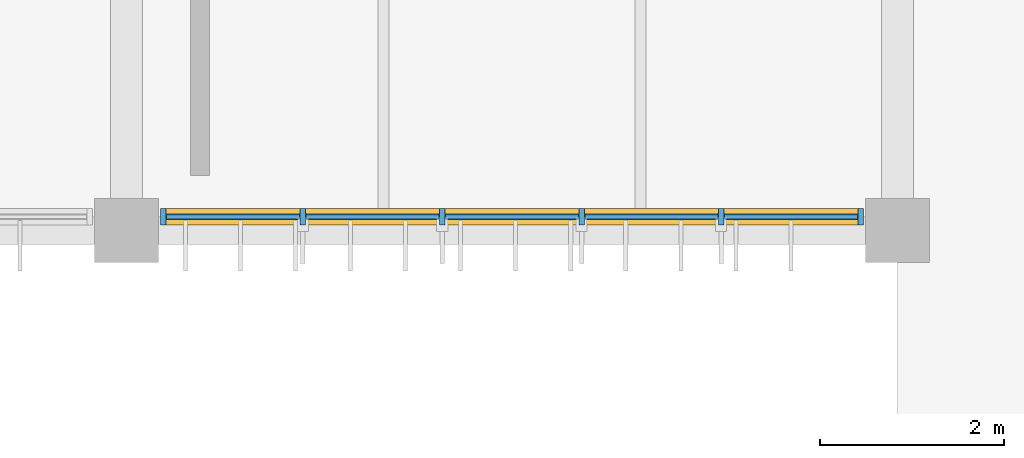
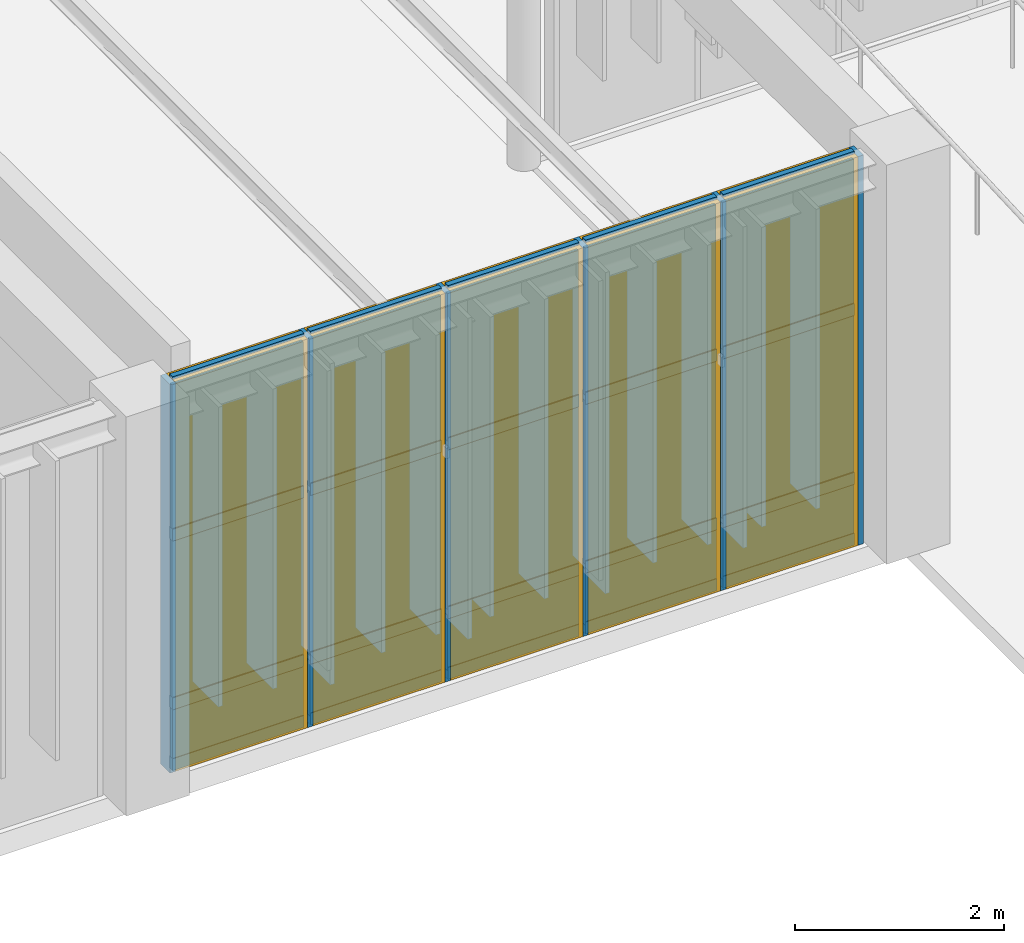
# One storey, part 64 of 122: 26 members, 15 plates, 1 curtain wall.
"""IFC4 building model written with IfcOpenShell, lengths in metres."""

import ifcopenshell
import ifcopenshell.guid

model = None  # the IFC model being written
_history = None  # IfcOwnerHistory: only IFC2X3 demands one
_inside = {}  # id of a spatial element -> (the spatial element, [elements in it])
_under = {}  # id of a project, library or spatial element -> (it, [spatial elements below it])
_declared = {}  # id of a project -> (the project, [libraries it declares])
_typed = {}  # id of a type object -> (the type object, [elements of that type])
_made_of = {}  # id of a material, layer set ... -> (it, [elements and type objects made of it])


def new_model(schema):
    """Start an empty IFC model of exactly this schema.

    Asked for "IFC4X3", IfcOpenShell would pick the latest addendum, in which some entities
    have other attributes; the version numbers below select the first issue.
    IFC2X3 requires an IfcOwnerHistory on every rooted entity: one is made here for all.
    """
    global model, _history
    if schema == "IFC4X3":
        model = ifcopenshell.file(schema_version=(4, 3, 0, 0))
    else:
        model = ifcopenshell.file(schema=schema)
    _inside.clear()
    _under.clear()
    _declared.clear()
    _typed.clear()
    _made_of.clear()
    _history = None
    if model.schema == "IFC2X3":
        org = make("IfcOrganization", Name="unknown")
        user = make(
            "IfcPersonAndOrganization",
            ThePerson=make("IfcPerson", FamilyName="unknown"),
            TheOrganization=org,
        )
        app = make(
            "IfcApplication",
            ApplicationDeveloper=org,
            Version="unknown",
            ApplicationFullName="unknown",
            ApplicationIdentifier="unknown",
        )
        _history = make(
            "IfcOwnerHistory",
            OwningUser=user,
            OwningApplication=app,
            ChangeAction="ADDED",
            CreationDate=0,
        )
    return model


def make(cls, **values):
    """One entity of the class cls with the attributes given. An attribute that is None is left unset."""
    return model.create_entity(
        cls, **{name: value for name, value in values.items() if value is not None}
    )


def rooted(cls, **values):
    """An entity with a GlobalId (a new one), such as an element, a storey or a relation."""
    return make(cls, GlobalId=ifcopenshell.guid.new(), OwnerHistory=_history, **values)


def si_unit(unit_type, name, prefix=None):
    """IfcSIUnit, for example si_unit("LENGTHUNIT", "METRE", prefix="MILLI")."""
    return make("IfcSIUnit", UnitType=unit_type, Prefix=prefix, Name=name)


def assignment(units):
    """IfcUnitAssignment: the units of a project."""
    return None if units is None else make("IfcUnitAssignment", Units=units)


def point(xyz):
    """IfcCartesianPoint."""
    return None if xyz is None else make("IfcCartesianPoint", Coordinates=xyz)


def direction(xyz):
    """IfcDirection."""
    return None if xyz is None else make("IfcDirection", DirectionRatios=xyz)


def frame(location, z_axis=None, x_axis=None):
    """IfcAxis2Placement3D, a coordinate frame: its origin and axes. An axis left out is left unset."""
    return make(
        "IfcAxis2Placement3D",
        Location=point(location),
        Axis=direction(z_axis),
        RefDirection=direction(x_axis),
    )


def frame_2d(location, x_axis=None):
    """IfcAxis2Placement2D, a coordinate frame in the plane: its origin and x axis."""
    return make(
        "IfcAxis2Placement2D", Location=point(location), RefDirection=direction(x_axis)
    )


def origin():
    """The frame at (0, 0, 0) with its axes left unset."""
    return frame((0.0, 0.0, 0.0))


def origin_2d():
    """The frame at (0, 0) in the plane with its x axis left unset."""
    return frame_2d((0.0, 0.0))


def place(relative_to, where):
    """IfcLocalPlacement: puts the frame where relative to a parent placement (None: the world)."""
    return make(
        "IfcLocalPlacement", PlacementRelTo=relative_to, RelativePlacement=where
    )


def context(
    kind, dimensions, precision=None, world=None, true_north=None, identifier=None
):
    """IfcGeometricRepresentationContext, for example the 3D "Model" context."""
    return make(
        "IfcGeometricRepresentationContext",
        ContextIdentifier=identifier,
        ContextType=kind,
        CoordinateSpaceDimension=dimensions,
        Precision=precision,
        WorldCoordinateSystem=world,
        TrueNorth=true_north,
    )


def subcontext(parent, identifier, kind, view, scale=None):
    """IfcGeometricRepresentationSubContext, for example "Body" below "Model"."""
    return make(
        "IfcGeometricRepresentationSubContext",
        ContextIdentifier=identifier,
        ContextType=kind,
        ParentContext=parent,
        TargetScale=scale,
        TargetView=view,
    )


def project(units=None, contexts=None):
    """IfcProject with its units and contexts."""
    return rooted(
        "IfcProject",
        Name="project",
        RepresentationContexts=contexts,
        UnitsInContext=assignment(units),
    )


def spatial(cls, under=None, at=None, **own):
    """A site, building, storey or space (cls), placed at a placement, below another one or the project."""
    s = rooted(cls, ObjectPlacement=at, **own)
    if under is not None:
        _under.setdefault(under.id(), (under, []))[1].append(s)
    return s


def profile(cls, at=None, kind="AREA", **sizes):
    """A parametric profile (cls). Its sizes go by their IFC names, for example OverallWidth=200.0."""
    return make(cls, ProfileType=kind, Position=at, **sizes)


def rectangle(**sizes):
    """IfcRectangleProfileDef."""
    return profile("IfcRectangleProfileDef", **sizes)


def extrude(swept, where, along, depth):
    """IfcExtrudedAreaSolid: the profile swept, set in the frame where, extruded along a direction by depth."""
    return make(
        "IfcExtrudedAreaSolid",
        SweptArea=swept,
        Position=where,
        ExtrudedDirection=direction(along),
        Depth=depth,
    )


def shape(context_of_items, identifier, shape_type, items):
    """IfcShapeRepresentation: the items that make up one representation, for example the "Body"."""
    return make(
        "IfcShapeRepresentation",
        ContextOfItems=context_of_items,
        RepresentationIdentifier=identifier,
        RepresentationType=shape_type,
        Items=items,
    )


def material(Name=None, Category=None):
    """IfcMaterial."""
    return make("IfcMaterial", Name=Name, Category=Category)


def layer(
    of_material, thickness, ventilated=None, Name=None, Category=None, Priority=None
):
    """IfcMaterialLayer: one layer of a wall or slab, of a material (None: an air gap)."""
    return make(
        "IfcMaterialLayer",
        Material=of_material,
        LayerThickness=thickness,
        IsVentilated=ventilated,
        Name=Name,
        Category=Category,
        Priority=Priority,
    )


def layer_set(layers, Name=None):
    """IfcMaterialLayerSet."""
    return make("IfcMaterialLayerSet", MaterialLayers=layers, LayerSetName=Name)


def material_profile(
    of_material, cross_section, Name=None, Category=None, Priority=None
):
    """IfcMaterialProfile: a cross section and its material."""
    return make(
        "IfcMaterialProfile",
        Name=Name,
        Material=of_material,
        Profile=cross_section,
        Priority=Priority,
        Category=Category,
    )


def profile_set(profiles, Name=None, composite=None):
    """IfcMaterialProfileSet."""
    return make(
        "IfcMaterialProfileSet",
        Name=Name,
        MaterialProfiles=profiles,
        CompositeProfile=composite,
    )


def made_of(thing, what):
    """Note that an element or type object is made of a material, layer set ...; save() writes the relation."""
    if what is not None:
        _made_of.setdefault(what.id(), (what, []))[1].append(thing)
    return thing


def type_object(cls, material=None, **own):
    """A type object (cls), such as IfcWallType, which elements share."""
    return made_of(rooted(cls, **own), material)


def element(
    cls,
    number,
    at=None,
    inside=None,
    cuts=None,
    type_object=None,
    material=None,
    context=None,
    identifier="Body",
    shape_type=None,
    held_by="IfcProductDefinitionShape",
    body=None,
    shapes=None,
    **own,
):
    """One element of the class cls, such as IfcWall. Its Tag is "e" and its number.

    at: its placement. inside: the storey or other place that contains it. cuts: it is an
    opening in that element (IfcRelVoidsElement). A single representation is given by context,
    identifier, shape_type and body (its items); several are given by shapes. held_by: the class
    of the entity that holds the representations. save() writes the other relations.
    """
    e = rooted(cls, Tag="e%d" % number, ObjectPlacement=at, **own)
    if body is not None:
        shapes = [shape(context, identifier, shape_type, body)]
    if shapes is not None:
        e.Representation = make(held_by, Representations=shapes)
    if inside is not None:
        _inside.setdefault(inside.id(), (inside, []))[1].append(e)
    if cuts is not None:
        rooted(
            "IfcRelVoidsElement", RelatingBuildingElement=cuts, RelatedOpeningElement=e
        )
    if type_object is not None:
        _typed.setdefault(type_object.id(), (type_object, []))[1].append(e)
    return made_of(e, material)


def aggregate(whole, parts):
    """IfcRelAggregates: a whole, such as a stair, and the parts it consists of."""
    return rooted("IfcRelAggregates", RelatingObject=whole, RelatedObjects=parts)


def save(model, path):
    """Write the relations noted so far, then the file.

    IfcRelAggregates (storeys below a building ...), IfcRelContainedInSpatialStructure (elements
    in a storey), IfcRelDefinesByType, IfcRelAssociatesMaterial and IfcRelDeclares: one each for
    every whole, place, type object, material and project.
    """
    for whole, parts in _under.values():
        aggregate(whole, parts)
    for where, things in _inside.values():
        rooted(
            "IfcRelContainedInSpatialStructure",
            RelatedElements=things,
            RelatingStructure=where,
        )
    for kind, things in _typed.values():
        rooted("IfcRelDefinesByType", RelatedObjects=things, RelatingType=kind)
    for what, things in _made_of.values():
        rooted("IfcRelAssociatesMaterial", RelatedObjects=things, RelatingMaterial=what)
    for by, libraries in _declared.values():
        rooted("IfcRelDeclares", RelatingContext=by, RelatedDefinitions=libraries)
    model.write(path)


model = new_model("IFC4")

# Units and contexts
model_context = context("Model", 3, precision=1e-05, world=origin(), true_north=direction((0.0, 1.0)))
body_context = subcontext(model_context, "Body", "Model", "MODEL_VIEW")
ifc_project = project(units=[si_unit("LENGTHUNIT", "METRE"), si_unit("AREAUNIT", "SQUARE_METRE"), si_unit("VOLUMEUNIT", "CUBIC_METRE"), si_unit("PLANEANGLEUNIT", "RADIAN"), si_unit("MASSUNIT", "GRAM", prefix="KILO")], contexts=[model_context])

# Member
ifc_material_1 = material(Name="Anodised Bronze Aluminium 6063-T6", Category="aluminium")
ifc_material_profile_1 = material_profile(ifc_material_1, rectangle(XDim=0.06005859375, YDim=0.179931640625, at=origin_2d()), Name="ALU MULLION 60x180")
ifc_profile_set_1 = profile_set([ifc_material_profile_1], Name="Anodised Bronze Aluminium 6063-T6")
member_type_1 = type_object("IfcMemberType", Name="Curtain-Wall Primary Mullion 60x180", PredefinedType="MULLION", material=ifc_profile_set_1)
site_placement = place(None, origin())
building_placement = place(site_placement, origin())
storey_placement = place(building_placement, origin())
member_1_placement = place(storey_placement, frame((19.60009765625, 37.550048828125, 0.0), z_axis=(0.0, 0.0, 1.0), x_axis=(1.0, 0.0, 0.0)))
member_1 = element("IfcMember", 1, at=member_1_placement, type_object=member_type_1, Name="Mullion CWM-01 CW-V6-S-L00-B3-M01", PredefinedType="MULLION", context=body_context, shape_type="SweptSolid", body=[
    extrude(rectangle(XDim=0.06005859375, YDim=0.179931640625, at=origin_2d()), origin(), (0.0, 0.0, 1.0), 4.5400390625),
])

member_2_placement = place(storey_placement, frame((21.1201171875, 37.550048828125, 0.0), z_axis=(0.0, 0.0, 1.0), x_axis=(1.0, 0.0, 0.0)))
member_2 = element("IfcMember", 2, at=member_2_placement, type_object=member_type_1, Name="Mullion CWM-01 CW-V6-S-L00-B3-M02", PredefinedType="MULLION", context=body_context, shape_type="SweptSolid", body=[
    extrude(rectangle(XDim=0.06005859375, YDim=0.179931640625, at=origin_2d()), origin(), (0.0, 0.0, 1.0), 4.5400390625),
])

member_3_placement = place(storey_placement, frame((22.639892578125, 37.550048828125, 0.0), z_axis=(0.0, 0.0, 1.0), x_axis=(1.0, 0.0, 0.0)))
member_3 = element("IfcMember", 3, at=member_3_placement, type_object=member_type_1, Name="Mullion CWM-01 CW-V6-S-L00-B3-M03", PredefinedType="MULLION", context=body_context, shape_type="SweptSolid", body=[
    extrude(rectangle(XDim=0.06005859375, YDim=0.179931640625, at=origin_2d()), origin(), (0.0, 0.0, 1.0), 4.5400390625),
])

member_4_placement = place(storey_placement, frame((24.159912109375, 37.550048828125, 0.0), z_axis=(0.0, 0.0, 1.0), x_axis=(1.0, 0.0, 0.0)))
member_4 = element("IfcMember", 4, at=member_4_placement, type_object=member_type_1, Name="Mullion CWM-01 CW-V6-S-L00-B3-M04", PredefinedType="MULLION", context=body_context, shape_type="SweptSolid", body=[
    extrude(rectangle(XDim=0.06005859375, YDim=0.179931640625, at=origin_2d()), origin(), (0.0, 0.0, 1.0), 4.5400390625),
])

member_5_placement = place(storey_placement, frame((25.679931640625, 37.550048828125, 0.0), z_axis=(0.0, 0.0, 1.0), x_axis=(1.0, 0.0, 0.0)))
member_5 = element("IfcMember", 5, at=member_5_placement, type_object=member_type_1, Name="Mullion CWM-01 CW-V6-S-L00-B3-M05", PredefinedType="MULLION", context=body_context, shape_type="SweptSolid", body=[
    extrude(rectangle(XDim=0.06005859375, YDim=0.179931640625, at=origin_2d()), origin(), (0.0, 0.0, 1.0), 4.5400390625),
])

member_6_placement = place(storey_placement, frame((27.199951171875, 37.550048828125, 0.0), z_axis=(0.0, 0.0, 1.0), x_axis=(1.0, 0.0, 0.0)))
member_6 = element("IfcMember", 6, at=member_6_placement, type_object=member_type_1, Name="Mullion CWM-01 CW-V6-S-L00-B3-M06", PredefinedType="MULLION", context=body_context, shape_type="SweptSolid", body=[
    extrude(rectangle(XDim=0.06005859375, YDim=0.179931640625, at=origin_2d()), origin(), (0.0, 0.0, 1.0), 4.5400390625),
])

ifc_material_profile_2 = material_profile(ifc_material_1, rectangle(XDim=0.06005859375, YDim=0.139892578125, at=origin_2d()), Name="ALU TRANSOM 60x140")
ifc_profile_set_2 = profile_set([ifc_material_profile_2], Name="Anodised Bronze Aluminium 6063-T6")
member_type_2 = type_object("IfcMemberType", Name="Curtain-Wall Transom 60x140", PredefinedType="USERDEFINED", material=ifc_profile_set_2)
member_7_placement = place(storey_placement, frame((19.635009765625, 37.550048828125, 0.0400390625), z_axis=(1.0, 0.0, 0.0), x_axis=(0.0, 1.0, 0.0)))
member_7 = element("IfcMember", 7, at=member_7_placement, type_object=member_type_2, Name="Transom CWT-01 CW-V6-S-L00-B3-T01.1", ObjectType="TRANSOM", PredefinedType="USERDEFINED", context=body_context, shape_type="SweptSolid", body=[
    extrude(rectangle(XDim=0.06005859375, YDim=0.139892578125, at=origin_2d()), origin(), (0.0, 0.0, 1.0), 1.449951171875),
])

member_8_placement = place(storey_placement, frame((19.635009765625, 37.550048828125, 0.75), z_axis=(1.0, 0.0, 0.0), x_axis=(0.0, 1.0, 0.0)))
member_8 = element("IfcMember", 8, at=member_8_placement, type_object=member_type_2, Name="Transom CWT-01 CW-V6-S-L00-B3-T01.2", ObjectType="TRANSOM", PredefinedType="USERDEFINED", context=body_context, shape_type="SweptSolid", body=[
    extrude(rectangle(XDim=0.06005859375, YDim=0.139892578125, at=origin_2d()), origin(), (0.0, 0.0, 1.0), 1.449951171875),
])

member_9_placement = place(storey_placement, frame((19.635009765625, 37.550048828125, 2.720703125), z_axis=(1.0, 0.0, 0.0), x_axis=(0.0, 1.0, 0.0)))
member_9 = element("IfcMember", 9, at=member_9_placement, type_object=member_type_2, Name="Transom CWT-01 CW-V6-S-L00-B3-T01.3", ObjectType="TRANSOM", PredefinedType="USERDEFINED", context=body_context, shape_type="SweptSolid", body=[
    extrude(rectangle(XDim=0.06005859375, YDim=0.139892578125, at=origin_2d()), origin(), (0.0, 0.0, 1.0), 1.449951171875),
])

member_10_placement = place(storey_placement, frame((19.635009765625, 37.550048828125, 4.5), z_axis=(1.0, 0.0, 0.0), x_axis=(0.0, 1.0, 0.0)))
member_10 = element("IfcMember", 10, at=member_10_placement, type_object=member_type_2, Name="Transom CWT-01 CW-V6-S-L00-B3-T01.4", ObjectType="TRANSOM", PredefinedType="USERDEFINED", context=body_context, shape_type="SweptSolid", body=[
    extrude(rectangle(XDim=0.06005859375, YDim=0.139892578125, at=origin_2d()), origin(), (0.0, 0.0, 1.0), 1.449951171875),
])

member_11_placement = place(storey_placement, frame((21.155029296875, 37.550048828125, 0.0400390625), z_axis=(1.0, 0.0, 0.0), x_axis=(0.0, 1.0, 0.0)))
member_11 = element("IfcMember", 11, at=member_11_placement, type_object=member_type_2, Name="Transom CWT-01 CW-V6-S-L00-B3-T02.1", ObjectType="TRANSOM", PredefinedType="USERDEFINED", context=body_context, shape_type="SweptSolid", body=[
    extrude(rectangle(XDim=0.06005859375, YDim=0.139892578125, at=origin_2d()), origin(), (0.0, 0.0, 1.0), 1.449951171875),
])

member_12_placement = place(storey_placement, frame((21.155029296875, 37.550048828125, 0.75), z_axis=(1.0, 0.0, 0.0), x_axis=(0.0, 1.0, 0.0)))
member_12 = element("IfcMember", 12, at=member_12_placement, type_object=member_type_2, Name="Transom CWT-01 CW-V6-S-L00-B3-T02.2", ObjectType="TRANSOM", PredefinedType="USERDEFINED", context=body_context, shape_type="SweptSolid", body=[
    extrude(rectangle(XDim=0.06005859375, YDim=0.139892578125, at=origin_2d()), origin(), (0.0, 0.0, 1.0), 1.449951171875),
])

member_13_placement = place(storey_placement, frame((21.155029296875, 37.550048828125, 2.720703125), z_axis=(1.0, 0.0, 0.0), x_axis=(0.0, 1.0, 0.0)))
member_13 = element("IfcMember", 13, at=member_13_placement, type_object=member_type_2, Name="Transom CWT-01 CW-V6-S-L00-B3-T02.3", ObjectType="TRANSOM", PredefinedType="USERDEFINED", context=body_context, shape_type="SweptSolid", body=[
    extrude(rectangle(XDim=0.06005859375, YDim=0.139892578125, at=origin_2d()), origin(), (0.0, 0.0, 1.0), 1.449951171875),
])

member_14_placement = place(storey_placement, frame((21.155029296875, 37.550048828125, 4.5), z_axis=(1.0, 0.0, 0.0), x_axis=(0.0, 1.0, 0.0)))
member_14 = element("IfcMember", 14, at=member_14_placement, type_object=member_type_2, Name="Transom CWT-01 CW-V6-S-L00-B3-T02.4", ObjectType="TRANSOM", PredefinedType="USERDEFINED", context=body_context, shape_type="SweptSolid", body=[
    extrude(rectangle(XDim=0.06005859375, YDim=0.139892578125, at=origin_2d()), origin(), (0.0, 0.0, 1.0), 1.449951171875),
])

member_15_placement = place(storey_placement, frame((22.675048828125, 37.550048828125, 0.0400390625), z_axis=(1.0, 0.0, 0.0), x_axis=(0.0, 1.0, 0.0)))
member_15 = element("IfcMember", 15, at=member_15_placement, type_object=member_type_2, Name="Transom CWT-01 CW-V6-S-L00-B3-T03.1", ObjectType="TRANSOM", PredefinedType="USERDEFINED", context=body_context, shape_type="SweptSolid", body=[
    extrude(rectangle(XDim=0.06005859375, YDim=0.139892578125, at=origin_2d()), origin(), (0.0, 0.0, 1.0), 1.449951171875),
])

member_16_placement = place(storey_placement, frame((22.675048828125, 37.550048828125, 0.75), z_axis=(1.0, 0.0, 0.0), x_axis=(0.0, 1.0, 0.0)))
member_16 = element("IfcMember", 16, at=member_16_placement, type_object=member_type_2, Name="Transom CWT-01 CW-V6-S-L00-B3-T03.2", ObjectType="TRANSOM", PredefinedType="USERDEFINED", context=body_context, shape_type="SweptSolid", body=[
    extrude(rectangle(XDim=0.06005859375, YDim=0.139892578125, at=origin_2d()), origin(), (0.0, 0.0, 1.0), 1.449951171875),
])

member_17_placement = place(storey_placement, frame((22.675048828125, 37.550048828125, 2.720703125), z_axis=(1.0, 0.0, 0.0), x_axis=(0.0, 1.0, 0.0)))
member_17 = element("IfcMember", 17, at=member_17_placement, type_object=member_type_2, Name="Transom CWT-01 CW-V6-S-L00-B3-T03.3", ObjectType="TRANSOM", PredefinedType="USERDEFINED", context=body_context, shape_type="SweptSolid", body=[
    extrude(rectangle(XDim=0.06005859375, YDim=0.139892578125, at=origin_2d()), origin(), (0.0, 0.0, 1.0), 1.449951171875),
])

member_18_placement = place(storey_placement, frame((22.675048828125, 37.550048828125, 4.5), z_axis=(1.0, 0.0, 0.0), x_axis=(0.0, 1.0, 0.0)))
member_18 = element("IfcMember", 18, at=member_18_placement, type_object=member_type_2, Name="Transom CWT-01 CW-V6-S-L00-B3-T03.4", ObjectType="TRANSOM", PredefinedType="USERDEFINED", context=body_context, shape_type="SweptSolid", body=[
    extrude(rectangle(XDim=0.06005859375, YDim=0.139892578125, at=origin_2d()), origin(), (0.0, 0.0, 1.0), 1.449951171875),
])

member_19_placement = place(storey_placement, frame((24.195068359375, 37.550048828125, 0.0400390625), z_axis=(1.0, 0.0, 0.0), x_axis=(0.0, 1.0, 0.0)))
member_19 = element("IfcMember", 19, at=member_19_placement, type_object=member_type_2, Name="Transom CWT-01 CW-V6-S-L00-B3-T04.1", ObjectType="TRANSOM", PredefinedType="USERDEFINED", context=body_context, shape_type="SweptSolid", body=[
    extrude(rectangle(XDim=0.06005859375, YDim=0.139892578125, at=origin_2d()), origin(), (0.0, 0.0, 1.0), 1.449951171875),
])

member_20_placement = place(storey_placement, frame((24.195068359375, 37.550048828125, 0.75), z_axis=(1.0, 0.0, 0.0), x_axis=(0.0, 1.0, 0.0)))
member_20 = element("IfcMember", 20, at=member_20_placement, type_object=member_type_2, Name="Transom CWT-01 CW-V6-S-L00-B3-T04.2", ObjectType="TRANSOM", PredefinedType="USERDEFINED", context=body_context, shape_type="SweptSolid", body=[
    extrude(rectangle(XDim=0.06005859375, YDim=0.139892578125, at=origin_2d()), origin(), (0.0, 0.0, 1.0), 1.449951171875),
])

member_21_placement = place(storey_placement, frame((24.195068359375, 37.550048828125, 2.720703125), z_axis=(1.0, 0.0, 0.0), x_axis=(0.0, 1.0, 0.0)))
member_21 = element("IfcMember", 21, at=member_21_placement, type_object=member_type_2, Name="Transom CWT-01 CW-V6-S-L00-B3-T04.3", ObjectType="TRANSOM", PredefinedType="USERDEFINED", context=body_context, shape_type="SweptSolid", body=[
    extrude(rectangle(XDim=0.06005859375, YDim=0.139892578125, at=origin_2d()), origin(), (0.0, 0.0, 1.0), 1.449951171875),
])

member_22_placement = place(storey_placement, frame((24.195068359375, 37.550048828125, 4.5), z_axis=(1.0, 0.0, 0.0), x_axis=(0.0, 1.0, 0.0)))
member_22 = element("IfcMember", 22, at=member_22_placement, type_object=member_type_2, Name="Transom CWT-01 CW-V6-S-L00-B3-T04.4", ObjectType="TRANSOM", PredefinedType="USERDEFINED", context=body_context, shape_type="SweptSolid", body=[
    extrude(rectangle(XDim=0.06005859375, YDim=0.139892578125, at=origin_2d()), origin(), (0.0, 0.0, 1.0), 1.449951171875),
])

member_23_placement = place(storey_placement, frame((25.715087890625, 37.550048828125, 0.0400390625), z_axis=(1.0, 0.0, 0.0), x_axis=(0.0, 1.0, 0.0)))
member_23 = element("IfcMember", 23, at=member_23_placement, type_object=member_type_2, Name="Transom CWT-01 CW-V6-S-L00-B3-T05.1", ObjectType="TRANSOM", PredefinedType="USERDEFINED", context=body_context, shape_type="SweptSolid", body=[
    extrude(rectangle(XDim=0.06005859375, YDim=0.139892578125, at=origin_2d()), origin(), (0.0, 0.0, 1.0), 1.449951171875),
])

member_24_placement = place(storey_placement, frame((25.715087890625, 37.550048828125, 0.75), z_axis=(1.0, 0.0, 0.0), x_axis=(0.0, 1.0, 0.0)))
member_24 = element("IfcMember", 24, at=member_24_placement, type_object=member_type_2, Name="Transom CWT-01 CW-V6-S-L00-B3-T05.2", ObjectType="TRANSOM", PredefinedType="USERDEFINED", context=body_context, shape_type="SweptSolid", body=[
    extrude(rectangle(XDim=0.06005859375, YDim=0.139892578125, at=origin_2d()), origin(), (0.0, 0.0, 1.0), 1.449951171875),
])

member_25_placement = place(storey_placement, frame((25.715087890625, 37.550048828125, 2.720703125), z_axis=(1.0, 0.0, 0.0), x_axis=(0.0, 1.0, 0.0)))
member_25 = element("IfcMember", 25, at=member_25_placement, type_object=member_type_2, Name="Transom CWT-01 CW-V6-S-L00-B3-T05.3", ObjectType="TRANSOM", PredefinedType="USERDEFINED", context=body_context, shape_type="SweptSolid", body=[
    extrude(rectangle(XDim=0.06005859375, YDim=0.139892578125, at=origin_2d()), origin(), (0.0, 0.0, 1.0), 1.449951171875),
])

member_26_placement = place(storey_placement, frame((25.715087890625, 37.550048828125, 4.5), z_axis=(1.0, 0.0, 0.0), x_axis=(0.0, 1.0, 0.0)))
member_26 = element("IfcMember", 26, at=member_26_placement, type_object=member_type_2, Name="Transom CWT-01 CW-V6-S-L00-B3-T05.4", ObjectType="TRANSOM", PredefinedType="USERDEFINED", context=body_context, shape_type="SweptSolid", body=[
    extrude(rectangle(XDim=0.06005859375, YDim=0.139892578125, at=origin_2d()), origin(), (0.0, 0.0, 1.0), 1.449951171875),
])

# Plate
ifc_material_2 = material(Name="Insulated Bronze Aluminium Spandrel Panel", Category="aluminium")
ifc_layer_1 = layer(ifc_material_2, 0.050048828125, Name="Insulated Bronze Aluminium Spandrel Panel")
ifc_layer_set_1 = layer_set([ifc_layer_1], Name="Insulated Bronze Aluminium Spandrel Panel")
plate_type_1 = type_object("IfcPlateType", Name="Insulated Anodised Aluminium Spandrel Cassette 50", PredefinedType="CURTAIN_PANEL", material=ifc_layer_set_1)
plate_1_placement = place(storey_placement, frame((20.360107421875, 37.550048828125, 0.070068359375), z_axis=(0.0, 0.0, 1.0), x_axis=(1.0, 0.0, 0.0)))
plate_1 = element("IfcPlate", 27, at=plate_1_placement, type_object=plate_type_1, Name="Curtain Panel CWP-03 CW-V6-S-L00-B3-P01.1", PredefinedType="CURTAIN_PANEL", context=body_context, shape_type="SweptSolid", body=[
    extrude(rectangle(XDim=1.449951171875, YDim=0.050048828125, at=origin_2d()), origin(), (0.0, 0.0, 1.0), 0.64990234375),
])

plate_2_placement = place(storey_placement, frame((21.8798828125, 37.550048828125, 0.070068359375), z_axis=(0.0, 0.0, 1.0), x_axis=(1.0, 0.0, 0.0)))
plate_2 = element("IfcPlate", 28, at=plate_2_placement, type_object=plate_type_1, Name="Curtain Panel CWP-03 CW-V6-S-L00-B3-P02.1", PredefinedType="CURTAIN_PANEL", context=body_context, shape_type="SweptSolid", body=[
    extrude(rectangle(XDim=1.449951171875, YDim=0.050048828125, at=origin_2d()), origin(), (0.0, 0.0, 1.0), 0.64990234375),
])

plate_3_placement = place(storey_placement, frame((23.39990234375, 37.550048828125, 0.070068359375), z_axis=(0.0, 0.0, 1.0), x_axis=(1.0, 0.0, 0.0)))
plate_3 = element("IfcPlate", 29, at=plate_3_placement, type_object=plate_type_1, Name="Curtain Panel CWP-03 CW-V6-S-L00-B3-P03.1", PredefinedType="CURTAIN_PANEL", context=body_context, shape_type="SweptSolid", body=[
    extrude(rectangle(XDim=1.449951171875, YDim=0.050048828125, at=origin_2d()), origin(), (0.0, 0.0, 1.0), 0.64990234375),
])

plate_4_placement = place(storey_placement, frame((24.919921875, 37.550048828125, 0.070068359375), z_axis=(0.0, 0.0, 1.0), x_axis=(1.0, 0.0, 0.0)))
plate_4 = element("IfcPlate", 30, at=plate_4_placement, type_object=plate_type_1, Name="Curtain Panel CWP-03 CW-V6-S-L00-B3-P04.1", PredefinedType="CURTAIN_PANEL", context=body_context, shape_type="SweptSolid", body=[
    extrude(rectangle(XDim=1.449951171875, YDim=0.050048828125, at=origin_2d()), origin(), (0.0, 0.0, 1.0), 0.64990234375),
])

plate_5_placement = place(storey_placement, frame((26.43994140625, 37.550048828125, 0.070068359375), z_axis=(0.0, 0.0, 1.0), x_axis=(1.0, 0.0, 0.0)))
plate_5 = element("IfcPlate", 31, at=plate_5_placement, type_object=plate_type_1, Name="Curtain Panel CWP-03 CW-V6-S-L00-B3-P05.1", PredefinedType="CURTAIN_PANEL", context=body_context, shape_type="SweptSolid", body=[
    extrude(rectangle(XDim=1.449951171875, YDim=0.050048828125, at=origin_2d()), origin(), (0.0, 0.0, 1.0), 0.64990234375),
])

ifc_material_3 = material(Name="Solar-Control Tempered Double Glazing", Category="glass")
ifc_layer_2 = layer(ifc_material_3, 0.0380859375, Name="Solar-Control Tempered Double Glazing")
ifc_layer_set_2 = layer_set([ifc_layer_2], Name="Solar-Control Tempered Double Glazing")
plate_type_2 = type_object("IfcPlateType", Name="Solar-Control Vision Glazing Unit 38", PredefinedType="CURTAIN_PANEL", material=ifc_layer_set_2)
plate_6_placement = place(storey_placement, frame((20.360107421875, 37.550048828125, 0.77978515625), z_axis=(0.0, 0.0, 1.0), x_axis=(1.0, 0.0, 0.0)))
plate_6 = element("IfcPlate", 32, at=plate_6_placement, type_object=plate_type_2, Name="Curtain Panel CWP-02 CW-V6-S-L00-B3-P01.2", PredefinedType="CURTAIN_PANEL", context=body_context, shape_type="SweptSolid", body=[
    extrude(rectangle(XDim=1.449951171875, YDim=0.0380859375, at=origin_2d()), origin(), (0.0, 0.0, 1.0), 1.910888671875),
])

plate_7_placement = place(storey_placement, frame((20.360107421875, 37.550048828125, 2.750732421875), z_axis=(0.0, 0.0, 1.0), x_axis=(1.0, 0.0, 0.0)))
plate_7 = element("IfcPlate", 33, at=plate_7_placement, type_object=plate_type_2, Name="Curtain Panel CWP-02 CW-V6-S-L00-B3-P01.3", PredefinedType="CURTAIN_PANEL", context=body_context, shape_type="SweptSolid", body=[
    extrude(rectangle(XDim=1.449951171875, YDim=0.0380859375, at=origin_2d()), origin(), (0.0, 0.0, 1.0), 1.71923828125),
])

plate_8_placement = place(storey_placement, frame((21.8798828125, 37.550048828125, 0.77978515625), z_axis=(0.0, 0.0, 1.0), x_axis=(1.0, 0.0, 0.0)))
plate_8 = element("IfcPlate", 34, at=plate_8_placement, type_object=plate_type_2, Name="Curtain Panel CWP-02 CW-V6-S-L00-B3-P02.2", PredefinedType="CURTAIN_PANEL", context=body_context, shape_type="SweptSolid", body=[
    extrude(rectangle(XDim=1.449951171875, YDim=0.0380859375, at=origin_2d()), origin(), (0.0, 0.0, 1.0), 1.910888671875),
])

plate_9_placement = place(storey_placement, frame((21.8798828125, 37.550048828125, 2.750732421875), z_axis=(0.0, 0.0, 1.0), x_axis=(1.0, 0.0, 0.0)))
plate_9 = element("IfcPlate", 35, at=plate_9_placement, type_object=plate_type_2, Name="Curtain Panel CWP-02 CW-V6-S-L00-B3-P02.3", PredefinedType="CURTAIN_PANEL", context=body_context, shape_type="SweptSolid", body=[
    extrude(rectangle(XDim=1.449951171875, YDim=0.0380859375, at=origin_2d()), origin(), (0.0, 0.0, 1.0), 1.71923828125),
])

plate_10_placement = place(storey_placement, frame((23.39990234375, 37.550048828125, 0.77978515625), z_axis=(0.0, 0.0, 1.0), x_axis=(1.0, 0.0, 0.0)))
plate_10 = element("IfcPlate", 36, at=plate_10_placement, type_object=plate_type_2, Name="Curtain Panel CWP-02 CW-V6-S-L00-B3-P03.2", PredefinedType="CURTAIN_PANEL", context=body_context, shape_type="SweptSolid", body=[
    extrude(rectangle(XDim=1.449951171875, YDim=0.0380859375, at=origin_2d()), origin(), (0.0, 0.0, 1.0), 1.910888671875),
])

plate_11_placement = place(storey_placement, frame((23.39990234375, 37.550048828125, 2.750732421875), z_axis=(0.0, 0.0, 1.0), x_axis=(1.0, 0.0, 0.0)))
plate_11 = element("IfcPlate", 37, at=plate_11_placement, type_object=plate_type_2, Name="Curtain Panel CWP-02 CW-V6-S-L00-B3-P03.3", PredefinedType="CURTAIN_PANEL", context=body_context, shape_type="SweptSolid", body=[
    extrude(rectangle(XDim=1.449951171875, YDim=0.0380859375, at=origin_2d()), origin(), (0.0, 0.0, 1.0), 1.71923828125),
])

plate_12_placement = place(storey_placement, frame((24.919921875, 37.550048828125, 0.77978515625), z_axis=(0.0, 0.0, 1.0), x_axis=(1.0, 0.0, 0.0)))
plate_12 = element("IfcPlate", 38, at=plate_12_placement, type_object=plate_type_2, Name="Curtain Panel CWP-02 CW-V6-S-L00-B3-P04.2", PredefinedType="CURTAIN_PANEL", context=body_context, shape_type="SweptSolid", body=[
    extrude(rectangle(XDim=1.449951171875, YDim=0.0380859375, at=origin_2d()), origin(), (0.0, 0.0, 1.0), 1.910888671875),
])

plate_13_placement = place(storey_placement, frame((24.919921875, 37.550048828125, 2.750732421875), z_axis=(0.0, 0.0, 1.0), x_axis=(1.0, 0.0, 0.0)))
plate_13 = element("IfcPlate", 39, at=plate_13_placement, type_object=plate_type_2, Name="Curtain Panel CWP-02 CW-V6-S-L00-B3-P04.3", PredefinedType="CURTAIN_PANEL", context=body_context, shape_type="SweptSolid", body=[
    extrude(rectangle(XDim=1.449951171875, YDim=0.0380859375, at=origin_2d()), origin(), (0.0, 0.0, 1.0), 1.71923828125),
])

plate_14_placement = place(storey_placement, frame((26.43994140625, 37.550048828125, 0.77978515625), z_axis=(0.0, 0.0, 1.0), x_axis=(1.0, 0.0, 0.0)))
plate_14 = element("IfcPlate", 40, at=plate_14_placement, type_object=plate_type_2, Name="Curtain Panel CWP-02 CW-V6-S-L00-B3-P05.2", PredefinedType="CURTAIN_PANEL", context=body_context, shape_type="SweptSolid", body=[
    extrude(rectangle(XDim=1.449951171875, YDim=0.0380859375, at=origin_2d()), origin(), (0.0, 0.0, 1.0), 1.910888671875),
])

plate_15_placement = place(storey_placement, frame((26.43994140625, 37.550048828125, 2.750732421875), z_axis=(0.0, 0.0, 1.0), x_axis=(1.0, 0.0, 0.0)))
plate_15 = element("IfcPlate", 41, at=plate_15_placement, type_object=plate_type_2, Name="Curtain Panel CWP-02 CW-V6-S-L00-B3-P05.3", PredefinedType="CURTAIN_PANEL", context=body_context, shape_type="SweptSolid", body=[
    extrude(rectangle(XDim=1.449951171875, YDim=0.0380859375, at=origin_2d()), origin(), (0.0, 0.0, 1.0), 1.71923828125),
])

# Site, building, storey
site = spatial("IfcSite", under=ifc_project, at=site_placement, CompositionType="ELEMENT")
building = spatial("IfcBuilding", under=site, at=building_placement, Name="Tazoul Stagehouse", CompositionType="ELEMENT")
storey = spatial("IfcBuildingStorey", under=building, at=storey_placement, Name="L00", CompositionType="ELEMENT", Elevation=0.0)

# Curtain wall
curtain_wall_type = type_object("IfcCurtainWallType", Name="Foyer Clear Solar-Control Curtain Wall", PredefinedType="NOTDEFINED", material=ifc_material_1)
curtain_wall_placement = place(storey_placement, frame((19.60009765625, 37.550048828125, 0.0), z_axis=(0.0, 0.0, 1.0), x_axis=(1.0, 0.0, 0.0)))
curtain_wall = element("IfcCurtainWall", 42, at=curtain_wall_placement, inside=storey, type_object=curtain_wall_type, Name="L00 Curtain Wall CW-02 (CW-V6-S-L00-B3)", PredefinedType="NOTDEFINED", context=body_context, shape_type="SweptSolid", body=[
    extrude(rectangle(XDim=7.599853515625, YDim=0.179931640625, at=frame_2d((3.7998046875, 0.0))), origin(), (0.0, 0.0, 1.0), 4.5400390625),
])

aggregate(curtain_wall, [member_1, member_2, member_3, member_4, member_5, member_6, member_7, member_8, member_9, member_10, plate_1, plate_6, plate_7, member_11, member_12, member_13, member_14, plate_2, plate_8, plate_9, member_15, member_16, member_17, member_18, plate_3, plate_10, plate_11, member_19, member_20, member_21, member_22, plate_4, plate_12, plate_13, member_23, member_24, member_25, member_26, plate_5, plate_14, plate_15])

save(model, "model.ifc")
